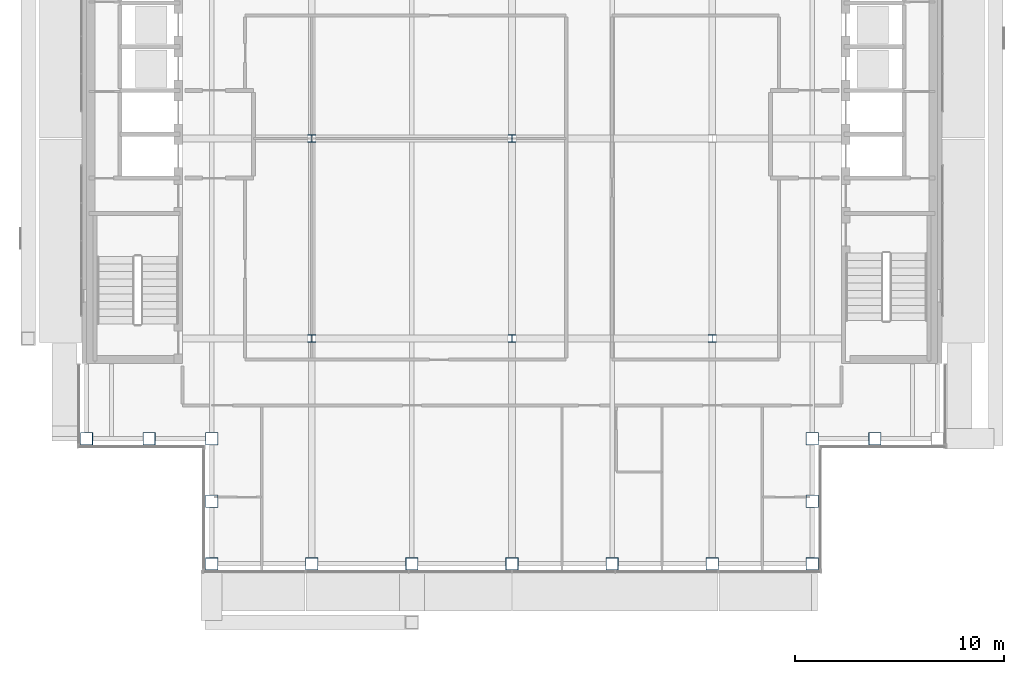
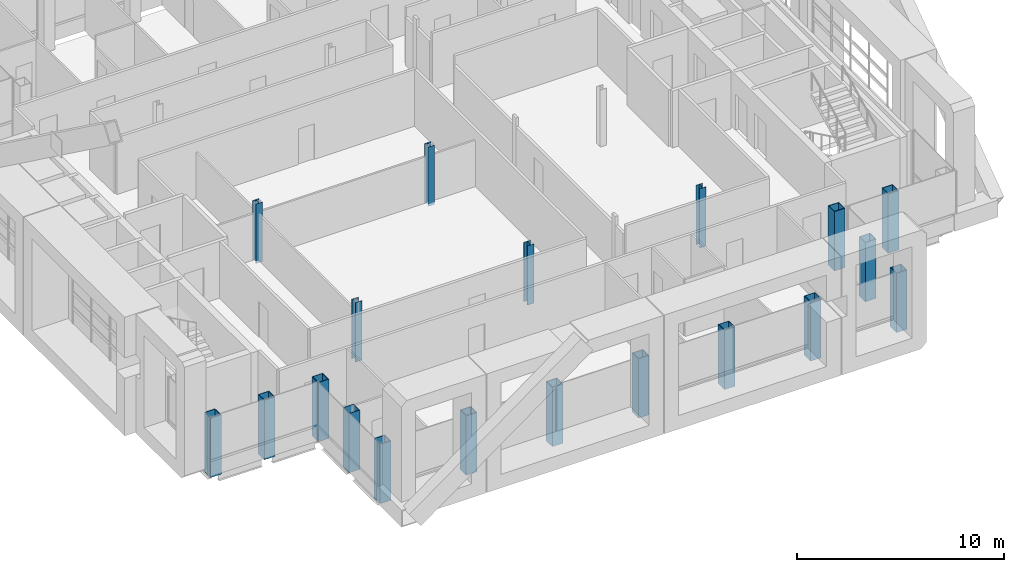
# One storey, part 1 of 23: 19 columns.
"""IFC4 building model written with IfcOpenShell, lengths in metres."""

from ifc_helpers import new_model, si_unit, direction, frame, origin, origin_2d, place, context, subcontext, project, spatial, hollow_rectangle, i_section, extrude, material, material_profile, profile_set, type_object, element, save


model = new_model("IFC4")

# Units and contexts
model_context = context("Model", 3, precision=1e-05, world=origin(), true_north=direction((0.0, 1.0)))
body_context = subcontext(model_context, "Body", "Model", "MODEL_VIEW")
ifc_project = project(units=[si_unit("LENGTHUNIT", "METRE"), si_unit("AREAUNIT", "SQUARE_METRE"), si_unit("VOLUMEUNIT", "CUBIC_METRE"), si_unit("PLANEANGLEUNIT", "RADIAN"), si_unit("MASSUNIT", "GRAM", prefix="KILO")], contexts=[model_context])

# Site, building, storey
site_placement = place(None, origin())
site = spatial("IfcSite", under=ifc_project, at=site_placement, CompositionType="ELEMENT")
building_placement = place(site_placement, origin())
building = spatial("IfcBuilding", under=site, at=building_placement, Name="Cobrizo Arcos Hotel Tower", CompositionType="ELEMENT")
storey_placement = place(building_placement, frame((0.0, 0.0, 255.0)))
storey = spatial("IfcBuildingStorey", under=building, at=storey_placement, Name="L67", CompositionType="ELEMENT", Elevation=255.0)

# Columns
ifc_material_1 = material(Name="Steel ASTM A572 Grade 50", Category="steel")
ifc_material_profile_1 = material_profile(ifc_material_1, hollow_rectangle(XDim=0.60009765625, YDim=0.60009765625, WallThickness=0.030029296875, at=origin_2d()), Name="BOX 600X600X30")
ifc_profile_set_1 = profile_set([ifc_material_profile_1], Name="Steel ASTM A572 Grade 50")
column_type_1 = type_object("IfcColumnType", Name="BOX 600X600X30 column", PredefinedType="COLUMN", material=ifc_profile_set_1)
for number, where, z_axis, x_axis, name in (
    (1, (-14.39990234375, -20.39990234375, -0.14990234375), (0.0, 0.0, 1.0), (1.0, 0.0, 0.0), "Perimeter column C12, L67, no. 01"),
    (2, (-9.60009765625, -20.39990234375, -0.14990234375), (0.0, 0.0, 1.0), (1.0, 0.0, 0.0), "Perimeter column C12, L67, no. 03"),
    (3, (-4.800048828125, -20.39990234375, -0.14990234375), (0.0, 0.0, 1.0), (1.0, 0.0, 0.0), "Perimeter column C12, L67, no. 05"),
    (4, (0.0, -20.39990234375, -0.14990234375), (0.0, 0.0, 1.0), (1.0, 0.0, 0.0), "Perimeter column C12, L67, no. 07"),
    (5, (4.800048828125, -20.39990234375, -0.14990234375), (0.0, 0.0, 1.0), (1.0, 0.0, 0.0), "Perimeter column C12, L67, no. 09"),
    (6, (9.60009765625, -20.39990234375, -0.14990234375), (0.0, 0.0, 1.0), (1.0, 0.0, 0.0), "Perimeter column C12, L67, no. 11"),
    (7, (14.39990234375, -20.39990234375, -0.14990234375), (0.0, 0.0, 1.0), (1.0, 0.0, 0.0), "Perimeter column C12, L67, no. 13"),
    (8, (-20.39990234375, -14.39990234375, -0.14990234375), (0.0, 0.0, 1.0), (1.0, 0.0, 0.0), "Perimeter column C12, L67, no. 15"),
    (9, (-14.39990234375, -14.39990234375, -0.14990234375), (0.0, 0.0, 1.0), (1.0, 0.0, 0.0), "Perimeter column C12, L67, no. 18"),
    (10, (-14.39990234375, -17.39990234375, -0.14990234375), (0.0, 0.0, 1.0), (1.0, 0.0, 0.0), "Perimeter column C12, L67, no. 19"),
    (11, (-17.39990234375, -14.39990234375, -0.14990234375), (0.0, 0.0, 1.0), (1.0, 0.0, 0.0), "Perimeter column C12, L67, no. 20"),
    (12, (14.39990234375, -14.39990234375, -0.14990234375), (0.0, 0.0, 1.0), (1.0, 0.0, 0.0), "Perimeter column C12, L67, no. 24"),
    (13, (14.39990234375, -17.39990234375, -0.14990234375), (0.0, 0.0, 1.0), (1.0, 0.0, 0.0), "Perimeter column C12, L67, no. 25"),
    (14, (17.39990234375, -14.39990234375, -0.14990234375), (0.0, 0.0, 1.0), (1.0, 0.0, 0.0), "Perimeter column C12, L67, no. 26"),
):
    element("IfcColumn", number, at=place(storey_placement, frame(where, z_axis=z_axis, x_axis=x_axis)), inside=storey, type_object=column_type_1, Name=name, PredefinedType="COLUMN", context=body_context, shape_type="SweptSolid", body=[
        extrude(hollow_rectangle(XDim=0.60009765625, YDim=0.60009765625, WallThickness=0.030029296875, at=origin_2d()), origin(), (0.0, 0.0, 1.0), 3.5),
    ])
ifc_material_2 = material(Name="Steel ASTM A992 Grade 50", Category="steel")
ifc_material_profile_2 = material_profile(ifc_material_2, i_section(OverallWidth=0.368408203125, OverallDepth=0.355712890625, WebThickness=0.01123046875, FlangeThickness=0.01806640625, at=origin_2d()), Name="W14X90")
ifc_profile_set_2 = profile_set([ifc_material_profile_2], Name="Steel ASTM A992 Grade 50")
column_type_2 = type_object("IfcColumnType", Name="W14X90 interior column", PredefinedType="COLUMN", material=ifc_profile_set_2)
for number, where, z_axis, x_axis, name in (
    (15, (-9.60009765625, -9.60009765625, -0.14990234375), (0.0, 0.0, 1.0), (1.0, 0.0, 0.0), "Interior column C13, L67, no. 00"),
    (16, (-9.60009765625, 0.0, -0.14990234375), (0.0, 0.0, 1.0), (1.0, 0.0, 0.0), "Interior column C13, L67, no. 01"),
    (17, (0.0, -9.60009765625, -0.14990234375), (0.0, 0.0, 1.0), (1.0, 0.0, 0.0), "Interior column C13, L67, no. 03"),
    (18, (0.0, 0.0, -0.14990234375), (0.0, 0.0, 1.0), (1.0, 0.0, 0.0), "Interior column C13, L67, no. 04"),
    (19, (9.60009765625, -9.60009765625, -0.14990234375), (0.0, 0.0, 1.0), (1.0, 0.0, 0.0), "Interior column C13, L67, no. 06"),
):
    element("IfcColumn", number, at=place(storey_placement, frame(where, z_axis=z_axis, x_axis=x_axis)), inside=storey, type_object=column_type_2, Name=name, PredefinedType="COLUMN", context=body_context, shape_type="SweptSolid", body=[
        extrude(i_section(OverallWidth=0.368408203125, OverallDepth=0.355712890625, WebThickness=0.01123046875, FlangeThickness=0.01806640625, at=origin_2d()), origin(), (0.0, 0.0, 1.0), 3.5),
    ])

save(model, "model.ifc")
